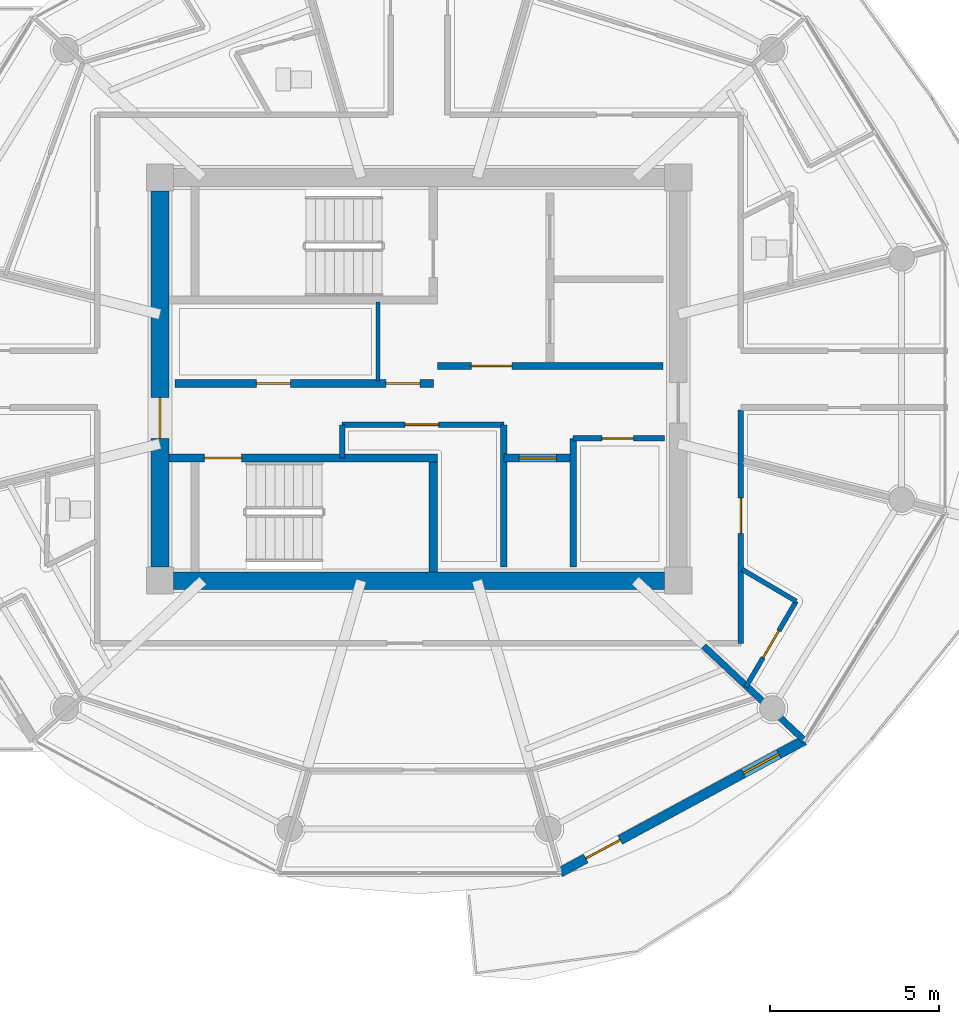
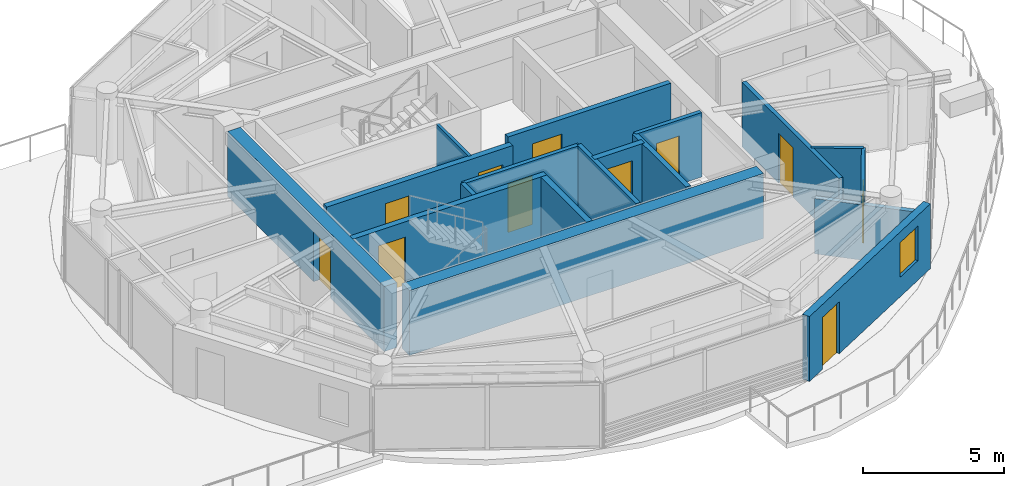
# One storey, part 17 of 30: 18 walls, 11 doors, 1 window, 12 openings.
"""IFC4 building model written with IfcOpenShell, lengths in metres."""

from ifc_helpers import new_model, si_unit, direction, frame, frame_2d, origin, place, context, subcontext, project, spatial, rectangle, extrude, source, transform, mapped, material, layer, layer_set, type_object, type_shapes, element, fill, save


model = new_model("IFC4")

# Units and contexts
model_context = context("Model", 3, precision=1e-05, world=origin(), true_north=direction((0.0, 1.0)))
body_context = subcontext(model_context, "Body", "Model", "MODEL_VIEW")
ifc_project = project(units=[si_unit("LENGTHUNIT", "METRE"), si_unit("AREAUNIT", "SQUARE_METRE"), si_unit("VOLUMEUNIT", "CUBIC_METRE"), si_unit("PLANEANGLEUNIT", "RADIAN"), si_unit("MASSUNIT", "GRAM", prefix="KILO")], contexts=[model_context])

# Site, building, storey
site_placement = place(None, origin())
site = spatial("IfcSite", under=ifc_project, at=site_placement, CompositionType="ELEMENT")
building_placement = place(site_placement, origin())
building = spatial("IfcBuilding", under=site, at=building_placement, Name="Norrkilde Senior Care Towers", CompositionType="ELEMENT")
storey_placement = place(building_placement, frame((0.0, 0.0, 232.199951171875)))
storey = spatial("IfcBuildingStorey", under=building, at=storey_placement, Name="L72", CompositionType="ELEMENT", Elevation=232.199951171875)

# Wall
ifc_material_1 = material(Name="Concrete C50/60", Category="concrete")
ifc_layer_1 = layer(ifc_material_1, 0.52001953125)
ifc_layer_set_1 = layer_set([ifc_layer_1], Name="Concrete C50/60")
wall_type_1 = type_object("IfcWallType", Name="Core Shear Wall Z4 520", PredefinedType="SHEAR", material=ifc_layer_set_1)
shared_shape_1 = source(origin(), body_context, "Body", "SweptSolid", [
    extrude(rectangle(XDim=14.5, YDim=0.52001953125, at=frame_2d((7.25, 0.0))), origin(), (0.0, 0.0, 1.0), 2.81005859375),
])
wall_1_placement = place(storey_placement, frame((35.25, -5.949951171875, 0.0), z_axis=(0.0, 0.0, 1.0), x_axis=(-1.0, 0.0, 0.0)))
element("IfcWall", 1, at=wall_1_placement, inside=storey, type_object=wall_type_1, Name="L72 Core E South Shear Wall", PredefinedType="SHEAR", context=body_context, shape_type="MappedRepresentation", body=[
    mapped(shared_shape_1, transform((0.0, 0.0, 0.0), x_axis=(1.0, 0.0, 0.0), y_axis=(0.0, 1.0, 0.0), z_axis=(0.0, 0.0, 1.0), scale=1.0)),
])

# Wall, opening, door
shared_shape_2 = source(origin(), body_context, "Body", "SweptSolid", [
    extrude(rectangle(XDim=11.10009765625, YDim=0.52001953125, at=frame_2d((5.550048828125, 0.0))), origin(), (0.0, 0.0, 1.0), 2.81005859375),
])
type_shapes(wall_type_1, [shared_shape_1, shared_shape_2])
wall_2_placement = place(storey_placement, frame((20.35009765625, -5.550048828125, 0.0), z_axis=(0.0, 0.0, 1.0), x_axis=(0.0, 1.0, 0.0)))
wall_2 = element("IfcWall", 2, at=wall_2_placement, inside=storey, type_object=wall_type_1, Name="L72 Core E West Shear Wall", PredefinedType="SHEAR", context=body_context, shape_type="MappedRepresentation", body=[
    mapped(shared_shape_2, transform((0.0, 0.0, 0.0), x_axis=(1.0, 0.0, 0.0), y_axis=(0.0, 1.0, 0.0), z_axis=(0.0, 0.0, 1.0), scale=1.0)),
])
opening_1_placement = place(wall_2_placement, frame((3.800048828125, 0.0, 0.0)))
opening_1 = element("IfcOpeningElement", 3, at=opening_1_placement, cuts=wall_2, Name="Opening D-04", PredefinedType="OPENING", context=body_context, shape_type="SweptSolid", body=[
    extrude(rectangle(XDim=1.199951171875, YDim=2.14990234375, at=frame_2d((0.60009765625, 1.074951171875))), frame((0.0, 0.27001953125, 0.0), z_axis=(0.0, -1.0, 0.0), x_axis=(1.0, 0.0, 0.0)), (0.0, 0.0, 1.0), 0.5400390625),
])
ifc_material_2 = material(Name="Galvanised Painted Steel", Category="steel")
door_type_1 = type_object("IfcDoorType", Name="Firefighting Lobby Fire Door 1200x2150", OperationType="NOTDEFINED", PredefinedType="DOOR", material=ifc_material_2)
shared_shape_3 = source(origin(), body_context, "Body", "SweptSolid", [
    extrude(rectangle(XDim=1.199951171875, YDim=2.14990234375, at=frame_2d((0.60009765625, 1.074951171875))), frame((0.0, 0.02490234375, 0.0), z_axis=(0.0, -1.0, 0.0), x_axis=(1.0, 0.0, 0.0)), (0.0, 0.0, 1.0), 0.050048828125),
])
type_shapes(door_type_1, [shared_shape_3])
door_1_placement = place(opening_1_placement, frame((1.199951171875, 0.0, 0.0), z_axis=(0.0, 0.0, 1.0), x_axis=(-1.0, 0.0, 0.0)))
door_1 = element("IfcDoor", 4, at=door_1_placement, inside=storey, type_object=door_type_1, Name="L72 Core E West Portal Door", OperationType="SINGLE_SWING_LEFT", OverallHeight=2.14990234375, OverallWidth=1.199951171875, PredefinedType="DOOR", context=body_context, shape_type="MappedRepresentation", body=[
    mapped(shared_shape_3, transform((0.0, 0.0, 0.0), x_axis=(1.0, 0.0, 0.0), y_axis=(0.0, 1.0, 0.0), z_axis=(0.0, 0.0, 1.0), scale=1.0)),
])
fill(opening_1, door_1)

# Wall, openings, door, window
ifc_material_3 = material(Name="Precast concrete C45/55", Category="concrete")
ifc_layer_2 = layer(ifc_material_3, 0.2900390625)
ifc_layer_set_2 = layer_set([ifc_layer_2], Name="Precast concrete C45/55")
wall_type_2 = type_object("IfcWallType", Name="Winter Garden Facade Wall 290", PredefinedType="SOLIDWALL", material=ifc_layer_set_2)
shared_shape_4 = source(origin(), body_context, "Body", "SweptSolid", [
    extrude(rectangle(XDim=8.197265625, YDim=0.2900390625, at=frame_2d((4.0986328125, 0.0))), origin(), (0.0, 0.0, 1.0), 2.81005859375),
])
type_shapes(wall_type_2, [shared_shape_4])
wall_3_placement = place(storey_placement, frame((39.370361328125, -10.6630859375, 0.0), z_axis=(0.0, 0.0, 1.0), x_axis=(-0.879369910001, -0.476139224791, 0.0)))
wall_3 = element("IfcWall", 5, at=wall_3_placement, inside=storey, type_object=wall_type_2, Name="L72 Drum E Balcony Access Wall 09", PredefinedType="SOLIDWALL", context=body_context, shape_type="MappedRepresentation", body=[
    mapped(shared_shape_4, transform((0.0, 0.0, 0.0), x_axis=(1.0, 0.0, 0.0), y_axis=(0.0, 1.0, 0.0), z_axis=(0.0, 0.0, 1.0), scale=1.0)),
])
opening_2_placement = place(wall_3_placement, frame((6.179931640625, 0.0, 0.0)))
opening_2 = element("IfcOpeningElement", 6, at=opening_2_placement, cuts=wall_3, Name="Opening D-09", PredefinedType="OPENING", context=body_context, shape_type="SweptSolid", body=[
    extrude(rectangle(XDim=1.14990234375, YDim=2.25, at=frame_2d((0.574951171875, 1.125))), frame((0.0, 0.155029296875, 0.0), z_axis=(0.0, -1.0, 0.0), x_axis=(1.0, 0.0, 0.0)), (0.0, 0.0, 1.0), 0.31005859375),
])
opening_3_placement = place(wall_3_placement, frame((0.85009765625, 0.0, 0.85009765625)))
opening_3 = element("IfcOpeningElement", 7, at=opening_3_placement, cuts=wall_3, Name="Opening WN-07", PredefinedType="OPENING", context=body_context, shape_type="SweptSolid", body=[
    extrude(rectangle(XDim=1.199951171875, YDim=1.5, at=frame_2d((0.60009765625, 0.75))), frame((0.0, 0.155029296875, 0.0), z_axis=(0.0, -1.0, 0.0), x_axis=(1.0, 0.0, 0.0)), (0.0, 0.0, 1.0), 0.31005859375),
])
ifc_material_4 = material(Name="Anodised Aluminium", Category="aluminium")
door_type_2 = type_object("IfcDoorType", Name="Terrace and Balcony Glazed Door 1150x2250", OperationType="NOTDEFINED", PredefinedType="DOOR", material=ifc_material_4)
shared_shape_5 = source(origin(), body_context, "Body", "SweptSolid", [
    extrude(rectangle(XDim=1.14990234375, YDim=2.25, at=frame_2d((0.574951171875, 1.125))), frame((0.0, 0.02490234375, 0.0), z_axis=(0.0, -1.0, 0.0), x_axis=(1.0, 0.0, 0.0)), (0.0, 0.0, 1.0), 0.050048828125),
])
type_shapes(door_type_2, [shared_shape_5])
door_2_placement = place(opening_2_placement, origin())
door_2 = element("IfcDoor", 8, at=door_2_placement, inside=storey, type_object=door_type_2, Name="L72 Drum E Outdoor Terrace Door 09", OperationType="SINGLE_SWING_RIGHT", OverallHeight=2.25, OverallWidth=1.14990234375, PredefinedType="DOOR", context=body_context, shape_type="MappedRepresentation", body=[
    mapped(shared_shape_5, transform((0.0, 0.0, 0.0), x_axis=(1.0, 0.0, 0.0), y_axis=(0.0, 1.0, 0.0), z_axis=(0.0, 0.0, 1.0), scale=1.0)),
])
fill(opening_2, door_2)
ifc_material_5 = material(Name="Triple Low-E Insulated Glazing", Category="glass")
window_type = type_object("IfcWindowType", Name="Stairwell Smoke Vent Window 1200x1500", PartitioningType="SINGLE_PANEL", PredefinedType="WINDOW", material=ifc_material_5)
shared_shape_6 = source(origin(), body_context, "Body", "SweptSolid", [
    extrude(rectangle(XDim=1.199951171875, YDim=1.5, at=frame_2d((0.60009765625, 0.75))), frame((0.0, 0.030029296875, 0.0), z_axis=(0.0, -1.0, 0.0), x_axis=(1.0, 0.0, 0.0)), (0.0, 0.0, 1.0), 0.06005859375),
])
type_shapes(window_type, [shared_shape_6])
window_placement = place(opening_3_placement, origin())
window = element("IfcWindow", 9, at=window_placement, inside=storey, type_object=window_type, Name="L72 Drum E Winter Garden Window 09", OverallHeight=1.5, OverallWidth=1.199951171875, PartitioningType="SINGLE_PANEL", PredefinedType="WINDOW", context=body_context, shape_type="MappedRepresentation", body=[
    mapped(shared_shape_6, transform((0.0, 0.0, 0.0), x_axis=(1.0, 0.0, 0.0), y_axis=(0.0, 1.0, 0.0), z_axis=(0.0, 0.0, 1.0), scale=1.0)),
])
fill(opening_3, window)

# Wall, opening, door
ifc_material_6 = material(Name="Concrete C45/55", Category="concrete")
ifc_layer_3 = layer(ifc_material_6, 0.2099609375)
ifc_layer_set_3 = layer_set([ifc_layer_3], Name="Concrete C45/55")
wall_type_3 = type_object("IfcWallType", Name="Firefighting Lobby Wall 210", PredefinedType="PARTITIONING", material=ifc_layer_set_3)
shared_shape_7 = source(origin(), body_context, "Body", "SweptSolid", [
    extrude(rectangle(XDim=6.659912109375, YDim=0.2099609375, at=frame_2d((3.330078125, 0.0))), origin(), (0.0, 0.0, 1.0), 2.795166015625),
])
type_shapes(wall_type_3, [shared_shape_7])
wall_4_placement = place(storey_placement, frame((28.5400390625, 0.389892578125, 0.0), z_axis=(0.0, 0.0, 1.0), x_axis=(1.0, 0.0, 0.0)))
wall_4 = element("IfcWall", 10, at=wall_4_placement, inside=storey, type_object=wall_type_3, Name="WL-INT-L72-E-FFLS", PredefinedType="PARTITIONING", context=body_context, shape_type="MappedRepresentation", body=[
    mapped(shared_shape_7, transform((0.0, 0.0, 0.0), x_axis=(1.0, 0.0, 0.0), y_axis=(0.0, 1.0, 0.0), z_axis=(0.0, 0.0, 1.0), scale=1.0)),
])
opening_4_placement = place(wall_4_placement, frame((1.0, 0.0, 0.0)))
opening_4 = element("IfcOpeningElement", 11, at=opening_4_placement, cuts=wall_4, Name="Opening D-04", PredefinedType="OPENING", context=body_context, shape_type="SweptSolid", body=[
    extrude(rectangle(XDim=1.199951171875, YDim=2.14990234375, at=frame_2d((0.60009765625, 1.074951171875))), frame((0.0, 0.114990234375, 0.0), z_axis=(0.0, -1.0, 0.0), x_axis=(1.0, 0.0, 0.0)), (0.0, 0.0, 1.0), 0.22998046875),
])
door_3_placement = place(opening_4_placement, frame((1.199951171875, 0.0, 0.0), z_axis=(0.0, 0.0, 1.0), x_axis=(-1.0, 0.0, 0.0)))
door_3 = element("IfcDoor", 12, at=door_3_placement, inside=storey, type_object=door_type_1, Name="L72 Firefighting Lobby E Door", OperationType="SINGLE_SWING_LEFT", OverallHeight=2.14990234375, OverallWidth=1.199951171875, PredefinedType="DOOR", context=body_context, shape_type="MappedRepresentation", body=[
    mapped(shared_shape_3, transform((0.0, 0.0, 0.0), x_axis=(1.0, 0.0, 0.0), y_axis=(0.0, 1.0, 0.0), z_axis=(0.0, 0.0, 1.0), scale=1.0)),
])
fill(opening_4, door_3)

# Wall, openings, doors
ifc_layer_4 = layer(ifc_material_6, 0.239990234375)
ifc_layer_set_4 = layer_set([ifc_layer_4], Name="Concrete C45/55")
wall_type_4 = type_object("IfcWallType", Name="Lift and Plant Rated Enclosure Partition 240", PredefinedType="PARTITIONING", material=ifc_layer_set_4)
shared_shape_8 = source(origin(), body_context, "Body", "SweptSolid", [
    extrude(rectangle(XDim=7.619873046875, YDim=0.239990234375, at=frame_2d((3.81005859375, 0.0))), origin(), (0.0, 0.0, 1.0), 2.795166015625),
])
wall_5_placement = place(storey_placement, frame((20.800048828125, -0.1298828125, 0.0), z_axis=(0.0, 0.0, 1.0), x_axis=(1.0, 0.0, 0.0)))
wall_5 = element("IfcWall", 13, at=wall_5_placement, inside=storey, type_object=wall_type_4, Name="WL-INT-L72-E-PKAS", PredefinedType="PARTITIONING", context=body_context, shape_type="MappedRepresentation", body=[
    mapped(shared_shape_8, transform((0.0, 0.0, 0.0), x_axis=(1.0, 0.0, 0.0), y_axis=(0.0, 1.0, 0.0), z_axis=(0.0, 0.0, 1.0), scale=1.0)),
])
opening_5_placement = place(wall_5_placement, frame((6.219970703125, 0.0, 0.0)))
opening_5 = element("IfcOpeningElement", 14, at=opening_5_placement, cuts=wall_5, Name="Opening D-10", PredefinedType="OPENING", context=body_context, shape_type="SweptSolid", body=[
    extrude(rectangle(XDim=1.0, YDim=2.10009765625, at=frame_2d((0.5, 1.050048828125))), frame((0.0, 0.1298828125, 0.0), z_axis=(0.0, -1.0, 0.0), x_axis=(1.0, 0.0, 0.0)), (0.0, 0.0, 1.0), 0.260009765625),
])
opening_6_placement = place(wall_5_placement, frame((2.39990234375, 0.0, 0.0)))
opening_6 = element("IfcOpeningElement", 15, at=opening_6_placement, cuts=wall_5, Name="Opening D-10", PredefinedType="OPENING", context=body_context, shape_type="SweptSolid", body=[
    extrude(rectangle(XDim=1.0, YDim=2.10009765625, at=frame_2d((0.5, 1.050048828125))), frame((0.0, 0.1298828125, 0.0), z_axis=(0.0, -1.0, 0.0), x_axis=(1.0, 0.0, 0.0)), (0.0, 0.0, 1.0), 0.260009765625),
])
door_type_3 = type_object("IfcDoorType", Name="Plant and Riser Rated Door 1000x2100", OperationType="NOTDEFINED", PredefinedType="DOOR", material=ifc_material_2)
shared_shape_9 = source(origin(), body_context, "Body", "SweptSolid", [
    extrude(rectangle(XDim=1.0, YDim=2.10009765625, at=frame_2d((0.5, 1.050048828125))), frame((0.0, 0.02490234375, 0.0), z_axis=(0.0, -1.0, 0.0), x_axis=(1.0, 0.0, 0.0)), (0.0, 0.0, 1.0), 0.050048828125),
])
type_shapes(door_type_3, [shared_shape_9])
door_4_placement = place(opening_5_placement, frame((1.0, 0.0, 0.0), z_axis=(0.0, 0.0, 1.0), x_axis=(-1.0, 0.0, 0.0)))
door_4 = element("IfcDoor", 16, at=door_4_placement, inside=storey, type_object=door_type_3, Name="L72 Electrical Riser E Door", OperationType="SINGLE_SWING_LEFT", OverallHeight=2.10009765625, OverallWidth=1.0, PredefinedType="DOOR", context=body_context, shape_type="MappedRepresentation", body=[
    mapped(shared_shape_9, transform((0.0, 0.0, 0.0), x_axis=(1.0, 0.0, 0.0), y_axis=(0.0, 1.0, 0.0), z_axis=(0.0, 0.0, 1.0), scale=1.0)),
])
fill(opening_5, door_4)
door_5_placement = place(opening_6_placement, frame((1.0, 0.0, 0.0), z_axis=(0.0, 0.0, 1.0), x_axis=(-1.0, 0.0, 0.0)))
door_5 = element("IfcDoor", 17, at=door_5_placement, inside=storey, type_object=door_type_3, Name="L72 Clean Supply Store E Door", OperationType="SINGLE_SWING_LEFT", OverallHeight=2.10009765625, OverallWidth=1.0, PredefinedType="DOOR", context=body_context, shape_type="MappedRepresentation", body=[
    mapped(shared_shape_9, transform((0.0, 0.0, 0.0), x_axis=(1.0, 0.0, 0.0), y_axis=(0.0, 1.0, 0.0), z_axis=(0.0, 0.0, 1.0), scale=1.0)),
])
fill(opening_6, door_5)

# Walls
ifc_material_7 = material(Name="Gypsum Acoustic Board")
ifc_layer_5 = layer(ifc_material_7, 0.114990234375)
ifc_layer_set_5 = layer_set([ifc_layer_5], Name="Gypsum Acoustic Board")
wall_type_5 = type_object("IfcWallType", Name="Internal Room Partition 115", PredefinedType="PARTITIONING", material=ifc_layer_set_5)
shared_shape_10 = source(origin(), body_context, "Body", "SweptSolid", [
    extrude(rectangle(XDim=2.330078125, YDim=0.114990234375, at=frame_2d((1.1650390625, 0.0))), origin(), (0.0, 0.0, 1.0), 2.795166015625),
])
type_shapes(wall_type_5, [shared_shape_10])
wall_6_placement = place(storey_placement, frame((26.7900390625, -0.050048828125, 0.0), z_axis=(0.0, 0.0, 1.0), x_axis=(0.0, 1.0, 0.0)))
element("IfcWall", 18, at=wall_6_placement, inside=storey, type_object=wall_type_5, Name="WL-INT-L72-E-RISW", PredefinedType="PARTITIONING", context=body_context, shape_type="MappedRepresentation", body=[
    mapped(shared_shape_10, transform((0.0, 0.0, 0.0), x_axis=(1.0, 0.0, 0.0), y_axis=(0.0, 1.0, 0.0), z_axis=(0.0, 0.0, 1.0), scale=1.0)),
])
ifc_layer_6 = layer(ifc_material_6, 0.199951171875)
ifc_layer_set_6 = layer_set([ifc_layer_6], Name="Concrete C45/55")
wall_type_6 = type_object("IfcWallType", Name="Shaft Division and Plant Partition 200", PredefinedType="PARTITIONING", material=ifc_layer_set_6)
shared_shape_11 = source(origin(), body_context, "Body", "SweptSolid", [
    extrude(rectangle(XDim=3.800048828125, YDim=0.199951171875, at=frame_2d((1.89990234375, 0.0))), origin(), (0.0, 0.0, 1.0), 2.795166015625),
])
type_shapes(wall_type_6, [shared_shape_11])
wall_7_placement = place(storey_placement, frame((32.550048828125, -5.550048828125, 0.0), z_axis=(0.0, 0.0, 1.0), x_axis=(0.0, 1.0, 0.0)))
element("IfcWall", 19, at=wall_7_placement, inside=storey, type_object=wall_type_6, Name="WL-INT-L72-E-PKBE", PredefinedType="PARTITIONING", context=body_context, shape_type="MappedRepresentation", body=[
    mapped(shared_shape_11, transform((0.0, 0.0, 0.0), x_axis=(1.0, 0.0, 0.0), y_axis=(0.0, 1.0, 0.0), z_axis=(0.0, 0.0, 1.0), scale=1.0)),
])

# Wall, opening, door
ifc_layer_7 = layer(ifc_material_7, 0.1650390625)
ifc_layer_set_7 = layer_set([ifc_layer_7], Name="Gypsum Acoustic Board")
wall_type_7 = type_object("IfcWallType", Name="Corridor Rated Partition 165", PredefinedType="PARTITIONING", material=ifc_layer_set_7)
shared_shape_12 = source(origin(), body_context, "Body", "SweptSolid", [
    extrude(rectangle(XDim=2.699951171875, YDim=0.1650390625, at=frame_2d((1.35009765625, 0.0))), origin(), (0.0, 0.0, 1.0), 2.795166015625),
])
wall_8_placement = place(storey_placement, frame((32.550048828125, -1.75, 0.0), z_axis=(0.0, 0.0, 1.0), x_axis=(1.0, 0.0, 0.0)))
wall_8 = element("IfcWall", 20, at=wall_8_placement, inside=storey, type_object=wall_type_7, Name="WL-INT-L72-E-CSN", PredefinedType="PARTITIONING", context=body_context, shape_type="MappedRepresentation", body=[
    mapped(shared_shape_12, transform((0.0, 0.0, 0.0), x_axis=(1.0, 0.0, 0.0), y_axis=(0.0, 1.0, 0.0), z_axis=(0.0, 0.0, 1.0), scale=1.0)),
])
opening_7_placement = place(wall_8_placement, frame((0.85009765625, 0.0, 0.0)))
opening_7 = element("IfcOpeningElement", 21, at=opening_7_placement, cuts=wall_8, Name="Opening D-12", PredefinedType="OPENING", context=body_context, shape_type="SweptSolid", body=[
    extrude(rectangle(XDim=0.925048828125, YDim=2.10009765625, at=frame_2d((0.46240234375, 1.050048828125))), frame((0.0, 0.092529296875, 0.0), z_axis=(0.0, -1.0, 0.0), x_axis=(1.0, 0.0, 0.0)), (0.0, 0.0, 1.0), 0.18505859375),
])
door_type_4 = type_object("IfcDoorType", Name="Core Wet Room Rated Door 925x2100", OperationType="NOTDEFINED", PredefinedType="DOOR", material=ifc_material_2)
shared_shape_13 = source(origin(), body_context, "Body", "SweptSolid", [
    extrude(rectangle(XDim=0.925048828125, YDim=2.10009765625, at=frame_2d((0.46240234375, 1.050048828125))), frame((0.0, 0.02490234375, 0.0), z_axis=(0.0, -1.0, 0.0), x_axis=(1.0, 0.0, 0.0)), (0.0, 0.0, 1.0), 0.050048828125),
])
type_shapes(door_type_4, [shared_shape_13])
door_6_placement = place(opening_7_placement, origin())
door_6 = element("IfcDoor", 22, at=door_6_placement, inside=storey, type_object=door_type_4, Name="L72 Core Utility E Door", OperationType="SINGLE_SWING_LEFT", OverallHeight=2.10009765625, OverallWidth=0.925048828125, PredefinedType="DOOR", context=body_context, shape_type="MappedRepresentation", body=[
    mapped(shared_shape_13, transform((0.0, 0.0, 0.0), x_axis=(1.0, 0.0, 0.0), y_axis=(0.0, 1.0, 0.0), z_axis=(0.0, 0.0, 1.0), scale=1.0)),
])
fill(opening_7, door_6)

shared_shape_14 = source(origin(), body_context, "Body", "SweptSolid", [
    extrude(rectangle(XDim=6.880126953125, YDim=0.1650390625, at=frame_2d((3.43994140625, 0.0))), origin(), (0.0, 0.0, 1.0), 2.795166015625),
])
wall_9_placement = place(storey_placement, frame((37.5, -0.919921875, 0.0), z_axis=(0.0, 0.0, 1.0), x_axis=(0.0, -1.0, 0.0)))
wall_9 = element("IfcWall", 23, at=wall_9_placement, inside=storey, type_object=wall_type_7, Name="WL-INT-L72-E-CRW-E-1", PredefinedType="PARTITIONING", context=body_context, shape_type="MappedRepresentation", body=[
    mapped(shared_shape_14, transform((0.0, 0.0, 0.0), x_axis=(1.0, 0.0, 0.0), y_axis=(0.0, 1.0, 0.0), z_axis=(0.0, 0.0, 1.0), scale=1.0)),
])
opening_8_placement = place(wall_9_placement, frame((2.5859375, 0.0, 0.0)))
opening_8 = element("IfcOpeningElement", 24, at=opening_8_placement, cuts=wall_9, Name="Opening D-06", PredefinedType="OPENING", context=body_context, shape_type="SweptSolid", body=[
    extrude(rectangle(XDim=1.050048828125, YDim=2.14990234375, at=frame_2d((0.52490234375, 1.074951171875))), frame((0.0, 0.092529296875, 0.0), z_axis=(0.0, -1.0, 0.0), x_axis=(1.0, 0.0, 0.0)), (0.0, 0.0, 1.0), 0.18505859375),
])
ifc_material_8 = material(Name="Nordic Ash Timber", Category="wood")
door_type_5 = type_object("IfcDoorType", Name="Apartment Entrance Fire Door 1050x2150", OperationType="NOTDEFINED", PredefinedType="DOOR", material=ifc_material_8)
shared_shape_15 = source(origin(), body_context, "Body", "SweptSolid", [
    extrude(rectangle(XDim=1.050048828125, YDim=2.14990234375, at=frame_2d((0.52490234375, 1.074951171875))), frame((0.0, 0.02490234375, 0.0), z_axis=(0.0, -1.0, 0.0), x_axis=(1.0, 0.0, 0.0)), (0.0, 0.0, 1.0), 0.050048828125),
])
type_shapes(door_type_5, [shared_shape_15])
door_7_placement = place(opening_8_placement, frame((1.050048828125, 0.0, 0.0), z_axis=(0.0, 0.0, 1.0), x_axis=(-1.0, 0.0, 0.0)))
door_7 = element("IfcDoor", 25, at=door_7_placement, inside=storey, type_object=door_type_5, Name="L72 Studio 72D Entrance Door", OperationType="SINGLE_SWING_RIGHT", OverallHeight=2.14990234375, OverallWidth=1.050048828125, PredefinedType="DOOR", context=body_context, shape_type="MappedRepresentation", body=[
    mapped(shared_shape_15, transform((0.0, 0.0, 0.0), x_axis=(1.0, 0.0, 0.0), y_axis=(0.0, 1.0, 0.0), z_axis=(0.0, 0.0, 1.0), scale=1.0)),
])
fill(opening_8, door_7)

shared_shape_16 = source(origin(), body_context, "Body", "SweptSolid", [
    extrude(rectangle(XDim=2.050048828125, YDim=0.239990234375, at=frame_2d((1.02490234375, 0.0))), origin(), (0.0, 0.0, 1.0), 2.795166015625),
])
type_shapes(wall_type_4, [shared_shape_8, shared_shape_16])
wall_10_placement = place(storey_placement, frame((30.5, -2.330078125, 0.0), z_axis=(0.0, 0.0, 1.0), x_axis=(1.0, 0.0, 0.0)))
wall_10 = element("IfcWall", 26, at=wall_10_placement, inside=storey, type_object=wall_type_4, Name="WL-INT-L72-E-PL4N", PredefinedType="PARTITIONING", context=body_context, shape_type="MappedRepresentation", body=[
    mapped(shared_shape_16, transform((0.0, 0.0, 0.0), x_axis=(1.0, 0.0, 0.0), y_axis=(0.0, 1.0, 0.0), z_axis=(0.0, 0.0, 1.0), scale=1.0)),
])
opening_9_placement = place(wall_10_placement, frame((0.449951171875, 0.0, 0.0)))
opening_9 = element("IfcOpeningElement", 27, at=opening_9_placement, cuts=wall_10, Name="Opening LD-01", PredefinedType="OPENING", context=body_context, shape_type="SweptSolid", body=[
    extrude(rectangle(XDim=1.10009765625, YDim=2.199951171875, at=frame_2d((0.550048828125, 1.10009765625))), frame((0.0, 0.1298828125, 0.0), z_axis=(0.0, -1.0, 0.0), x_axis=(1.0, 0.0, 0.0)), (0.0, 0.0, 1.0), 0.260009765625),
])
ifc_material_9 = material(Name="Stainless Steel", Category="steel")
door_type_6 = type_object("IfcDoorType", Name="Lift Landing Sliding Door 1100x2200", OperationType="NOTDEFINED", PredefinedType="DOOR", material=ifc_material_9)
shared_shape_17 = source(origin(), body_context, "Body", "SweptSolid", [
    extrude(rectangle(XDim=1.10009765625, YDim=2.199951171875, at=frame_2d((0.550048828125, 1.10009765625))), frame((0.0, 0.02490234375, 0.0), z_axis=(0.0, -1.0, 0.0), x_axis=(1.0, 0.0, 0.0)), (0.0, 0.0, 1.0), 0.050048828125),
])
type_shapes(door_type_6, [shared_shape_17])
door_8_placement = place(opening_9_placement, frame((1.10009765625, 0.0, 0.0), z_axis=(0.0, 0.0, 1.0), x_axis=(-1.0, 0.0, 0.0)))
door_8 = element("IfcDoor", 28, at=door_8_placement, inside=storey, type_object=door_type_6, Name="L72 Passenger Lift E4 Landing Door", OperationType="SLIDING_TO_RIGHT", OverallHeight=2.199951171875, OverallWidth=1.10009765625, PredefinedType="DOOR", context=body_context, shape_type="MappedRepresentation", body=[
    mapped(shared_shape_17, transform((0.0, 0.0, 0.0), x_axis=(1.0, 0.0, 0.0), y_axis=(0.0, 1.0, 0.0), z_axis=(0.0, 0.0, 1.0), scale=1.0)),
])
fill(opening_9, door_8)

# Wall
ifc_layer_8 = layer(ifc_material_6, 0.179931640625)
ifc_layer_set_8 = layer_set([ifc_layer_8], Name="Concrete C45/55")
wall_type_8 = type_object("IfcWallType", Name="Hoistway Division Rated Partition 180", PredefinedType="PARTITIONING", material=ifc_layer_set_8)
shared_shape_18 = source(origin(), body_context, "Body", "SweptSolid", [
    extrude(rectangle(XDim=4.199951171875, YDim=0.179931640625, at=frame_2d((2.10009765625, 0.0))), origin(), (0.0, 0.0, 1.0), 2.795166015625),
])
type_shapes(wall_type_8, [shared_shape_18])
wall_11_placement = place(storey_placement, frame((30.5, -5.550048828125, 0.0), z_axis=(0.0, 0.0, 1.0), x_axis=(0.0, 1.0, 0.0)))
element("IfcWall", 29, at=wall_11_placement, inside=storey, type_object=wall_type_8, Name="WL-INT-L72-E-PL4W", PredefinedType="PARTITIONING", context=body_context, shape_type="MappedRepresentation", body=[
    mapped(shared_shape_18, transform((0.0, 0.0, 0.0), x_axis=(1.0, 0.0, 0.0), y_axis=(0.0, 1.0, 0.0), z_axis=(0.0, 0.0, 1.0), scale=1.0)),
])

# Wall, opening, door
shared_shape_19 = source(origin(), body_context, "Body", "SweptSolid", [
    extrude(rectangle(XDim=4.77001953125, YDim=0.1650390625, at=frame_2d((2.385009765625, 0.0))), origin(), (0.0, 0.0, 1.0), 2.795166015625),
])
wall_12_placement = place(storey_placement, frame((25.72998046875, -1.35009765625, 0.0), z_axis=(0.0, 0.0, 1.0), x_axis=(1.0, 0.0, 0.0)))
wall_12 = element("IfcWall", 30, at=wall_12_placement, inside=storey, type_object=wall_type_7, Name="WL-INT-L72-E-FR2N", PredefinedType="PARTITIONING", context=body_context, shape_type="MappedRepresentation", body=[
    mapped(shared_shape_19, transform((0.0, 0.0, 0.0), x_axis=(1.0, 0.0, 0.0), y_axis=(0.0, 1.0, 0.0), z_axis=(0.0, 0.0, 1.0), scale=1.0)),
])
opening_10_placement = place(wall_12_placement, frame((1.85009765625, 0.0, 0.0)))
opening_10 = element("IfcOpeningElement", 31, at=opening_10_placement, cuts=wall_12, Name="Opening D-10", PredefinedType="OPENING", context=body_context, shape_type="SweptSolid", body=[
    extrude(rectangle(XDim=1.0, YDim=2.10009765625, at=frame_2d((0.5, 1.050048828125))), frame((0.0, 0.092529296875, 0.0), z_axis=(0.0, -1.0, 0.0), x_axis=(1.0, 0.0, 0.0)), (0.0, 0.0, 1.0), 0.18505859375),
])
door_9_placement = place(opening_10_placement, origin())
door_9 = element("IfcDoor", 32, at=door_9_placement, inside=storey, type_object=door_type_3, Name="L72 Core Pantry E Door", OperationType="SINGLE_SWING_RIGHT", OverallHeight=2.10009765625, OverallWidth=1.0, PredefinedType="DOOR", context=body_context, shape_type="MappedRepresentation", body=[
    mapped(shared_shape_9, transform((0.0, 0.0, 0.0), x_axis=(1.0, 0.0, 0.0), y_axis=(0.0, 1.0, 0.0), z_axis=(0.0, 0.0, 1.0), scale=1.0)),
])
fill(opening_10, door_9)

# Wall
shared_shape_20 = source(origin(), body_context, "Body", "SweptSolid", [
    extrude(rectangle(XDim=0.97998046875, YDim=0.1650390625, at=frame_2d((0.489990234375, 0.0))), origin(), (0.0, 0.0, 1.0), 2.795166015625),
])
type_shapes(wall_type_7, [shared_shape_12, shared_shape_14, shared_shape_19, shared_shape_20])
wall_13_placement = place(storey_placement, frame((25.72998046875, -2.330078125, 0.0), z_axis=(0.0, 0.0, 1.0), x_axis=(0.0, 1.0, 0.0)))
element("IfcWall", 33, at=wall_13_placement, inside=storey, type_object=wall_type_7, Name="WL-INT-L72-E-FR2W", PredefinedType="PARTITIONING", context=body_context, shape_type="MappedRepresentation", body=[
    mapped(shared_shape_20, transform((0.0, 0.0, 0.0), x_axis=(1.0, 0.0, 0.0), y_axis=(0.0, 1.0, 0.0), z_axis=(0.0, 0.0, 1.0), scale=1.0)),
])

# Wall, opening, door
ifc_layer_9 = layer(ifc_material_6, 0.239990234375)
ifc_layer_set_9 = layer_set([ifc_layer_9], Name="Concrete C45/55")
wall_type_9 = type_object("IfcWallType", Name="Shaft and Stair Enclosure Wall 240", PredefinedType="PARTITIONING", material=ifc_layer_set_9)
shared_shape_21 = source(origin(), body_context, "Body", "SweptSolid", [
    extrude(rectangle(XDim=7.929931640625, YDim=0.239990234375, at=frame_2d((3.96484375, 0.0))), origin(), (0.0, 0.0, 1.0), 2.81005859375),
])
wall_14_placement = place(storey_placement, frame((20.610107421875, -2.330078125, 0.0), z_axis=(0.0, 0.0, 1.0), x_axis=(1.0, 0.0, 0.0)))
wall_14 = element("IfcWall", 34, at=wall_14_placement, inside=storey, type_object=wall_type_9, Name="WL-INT-L72-E-ST2N", PredefinedType="PARTITIONING", context=body_context, shape_type="MappedRepresentation", body=[
    mapped(shared_shape_21, transform((0.0, 0.0, 0.0), x_axis=(1.0, 0.0, 0.0), y_axis=(0.0, 1.0, 0.0), z_axis=(0.0, 0.0, 1.0), scale=1.0)),
])
opening_11_placement = place(wall_14_placement, frame((1.050048828125, 0.0, 0.0)))
opening_11 = element("IfcOpeningElement", 35, at=opening_11_placement, cuts=wall_14, Name="Opening D-03", PredefinedType="OPENING", context=body_context, shape_type="SweptSolid", body=[
    extrude(rectangle(XDim=1.10009765625, YDim=2.14990234375, at=frame_2d((0.550048828125, 1.074951171875))), frame((0.0, 0.1298828125, 0.0), z_axis=(0.0, -1.0, 0.0), x_axis=(1.0, 0.0, 0.0)), (0.0, 0.0, 1.0), 0.260009765625),
])
door_type_7 = type_object("IfcDoorType", Name="Stairwell Protected Fire Door 1100x2150", OperationType="NOTDEFINED", PredefinedType="DOOR", material=ifc_material_2)
shared_shape_22 = source(origin(), body_context, "Body", "SweptSolid", [
    extrude(rectangle(XDim=1.10009765625, YDim=2.14990234375, at=frame_2d((0.550048828125, 1.074951171875))), frame((0.0, 0.02490234375, 0.0), z_axis=(0.0, -1.0, 0.0), x_axis=(1.0, 0.0, 0.0)), (0.0, 0.0, 1.0), 0.050048828125),
])
type_shapes(door_type_7, [shared_shape_22])
door_10_placement = place(opening_11_placement, frame((1.10009765625, 0.0, 0.0), z_axis=(0.0, 0.0, 1.0), x_axis=(-1.0, 0.0, 0.0)))
door_10 = element("IfcDoor", 36, at=door_10_placement, inside=storey, type_object=door_type_7, Name="L72 Stair E2 Fire Door", OperationType="SINGLE_SWING_RIGHT", OverallHeight=2.14990234375, OverallWidth=1.10009765625, PredefinedType="DOOR", context=body_context, shape_type="MappedRepresentation", body=[
    mapped(shared_shape_22, transform((0.0, 0.0, 0.0), x_axis=(1.0, 0.0, 0.0), y_axis=(0.0, 1.0, 0.0), z_axis=(0.0, 0.0, 1.0), scale=1.0)),
])
fill(opening_11, door_10)

# Walls
shared_shape_23 = source(origin(), body_context, "Body", "SweptSolid", [
    extrude(rectangle(XDim=3.239990234375, YDim=0.239990234375, at=frame_2d((1.6201171875, 0.0))), origin(), (0.0, 0.0, 1.0), 2.81005859375),
])
type_shapes(wall_type_9, [shared_shape_21, shared_shape_23])
wall_15_placement = place(storey_placement, frame((28.419921875, -5.68994140625, 0.0), z_axis=(0.0, 0.0, 1.0), x_axis=(0.0, 1.0, 0.0)))
element("IfcWall", 37, at=wall_15_placement, inside=storey, type_object=wall_type_9, Name="WL-INT-L72-E-ST2E", PredefinedType="PARTITIONING", context=body_context, shape_type="MappedRepresentation", body=[
    mapped(shared_shape_23, transform((0.0, 0.0, 0.0), x_axis=(1.0, 0.0, 0.0), y_axis=(0.0, 1.0, 0.0), z_axis=(0.0, 0.0, 1.0), scale=1.0)),
])
ifc_layer_10 = layer(ifc_material_7, 0.18994140625)
ifc_layer_set_10 = layer_set([ifc_layer_10], Name="Gypsum Acoustic Board")
wall_type_10 = type_object("IfcWallType", Name="Unit Demising Acoustic Wall 190", PredefinedType="PARTITIONING", material=ifc_layer_set_10)
shared_shape_24 = source(origin(), body_context, "Body", "SweptSolid", [
    extrude(rectangle(XDim=4.089111328125, YDim=0.18994140625, at=frame_2d((2.04443359375, 0.0))), origin(), (0.0, 0.0, 1.0), 2.39501953125),
])
type_shapes(wall_type_10, [shared_shape_24])
wall_16_placement = place(storey_placement, frame((36.40185546875, -7.8798828125, 0.0), z_axis=(0.0, 0.0, 1.0), x_axis=(0.729401273609, -0.684086092577, 0.0)))
element("IfcWall", 38, at=wall_16_placement, inside=storey, type_object=wall_type_10, Name="WL-INT-L72-E-DEM-10-0", PredefinedType="PARTITIONING", context=body_context, shape_type="MappedRepresentation", body=[
    mapped(shared_shape_24, transform((0.0, 0.0, 0.0), x_axis=(1.0, 0.0, 0.0), y_axis=(0.0, 1.0, 0.0), z_axis=(0.0, 0.0, 1.0), scale=1.0)),
])
ifc_layer_11 = layer(ifc_material_7, 0.139892578125)
ifc_layer_set_11 = layer_set([ifc_layer_11], Name="Gypsum Acoustic Board")
wall_type_11 = type_object("IfcWallType", Name="En-suite Wet Room Wall 140", PredefinedType="PARTITIONING", material=ifc_layer_set_11)
shared_shape_25 = source(origin(), body_context, "Body", "SweptSolid", [
    extrude(rectangle(XDim=1.859130859375, YDim=0.139892578125, at=frame_2d((0.9296875, 0.0))), origin(), (0.0, 0.0, 1.0), 2.795166015625),
])
wall_17_placement = place(storey_placement, frame((37.530029296875, -5.615478515625, 0.0), z_axis=(0.0, 0.0, 1.0), x_axis=(0.861555897139, -0.507662718845, 0.0)))
element("IfcWall", 39, at=wall_17_placement, inside=storey, type_object=wall_type_11, Name="WL-INT-L72-E-ES-10", PredefinedType="PARTITIONING", context=body_context, shape_type="MappedRepresentation", body=[
    mapped(shared_shape_25, transform((0.0, 0.0, 0.0), x_axis=(1.0, 0.0, 0.0), y_axis=(0.0, 1.0, 0.0), z_axis=(0.0, 0.0, 1.0), scale=1.0)),
])

# Wall, opening, door
shared_shape_26 = source(origin(), body_context, "Body", "SweptSolid", [
    extrude(rectangle(XDim=2.939453125, YDim=0.139892578125, at=frame_2d((1.4697265625, 0.0))), origin(), (0.0, 0.0, 1.0), 2.795166015625),
])
type_shapes(wall_type_11, [shared_shape_25, shared_shape_26])
wall_18_placement = place(storey_placement, frame((39.1318359375, -6.559326171875, 0.0), z_axis=(0.0, 0.0, 1.0), x_axis=(-0.505883614636, -0.862601743821, 0.0)))
wall_18 = element("IfcWall", 40, at=wall_18_placement, inside=storey, type_object=wall_type_11, Name="WL-INT-L72-E-EF-10", PredefinedType="PARTITIONING", context=body_context, shape_type="MappedRepresentation", body=[
    mapped(shared_shape_26, transform((0.0, 0.0, 0.0), x_axis=(1.0, 0.0, 0.0), y_axis=(0.0, 1.0, 0.0), z_axis=(0.0, 0.0, 1.0), scale=1.0)),
])
opening_12_placement = place(wall_18_placement, frame((1.009765625, 0.0, 0.0)))
opening_12 = element("IfcOpeningElement", 41, at=opening_12_placement, cuts=wall_18, Name="Opening D-08", PredefinedType="OPENING", context=body_context, shape_type="SweptSolid", body=[
    extrude(rectangle(XDim=0.919921875, YDim=2.10009765625, at=frame_2d((0.4599609375, 1.050048828125))), frame((0.0, 0.079833984375, 0.0), z_axis=(0.0, -1.0, 0.0), x_axis=(1.0, 0.0, 0.0)), (0.0, 0.0, 1.0), 0.159912109375),
])
door_type_8 = type_object("IfcDoorType", Name="Accessible Wet Room Door 920x2100", OperationType="NOTDEFINED", PredefinedType="DOOR", material=ifc_material_8)
shared_shape_27 = source(origin(), body_context, "Body", "SweptSolid", [
    extrude(rectangle(XDim=0.919921875, YDim=2.10009765625, at=frame_2d((0.4599609375, 1.050048828125))), frame((0.0, 0.02490234375, 0.0), z_axis=(0.0, -1.0, 0.0), x_axis=(1.0, 0.0, 0.0)), (0.0, 0.0, 1.0), 0.050048828125),
])
type_shapes(door_type_8, [shared_shape_27])
door_11_placement = place(opening_12_placement, origin())
door_11 = element("IfcDoor", 42, at=door_11_placement, inside=storey, type_object=door_type_8, Name="L72 Studio 72D Bathroom Door", OperationType="SINGLE_SWING_LEFT", OverallHeight=2.10009765625, OverallWidth=0.919921875, PredefinedType="DOOR", context=body_context, shape_type="MappedRepresentation", body=[
    mapped(shared_shape_27, transform((0.0, 0.0, 0.0), x_axis=(1.0, 0.0, 0.0), y_axis=(0.0, 1.0, 0.0), z_axis=(0.0, 0.0, 1.0), scale=1.0)),
])
fill(opening_12, door_11)

save(model, "model.ifc")
